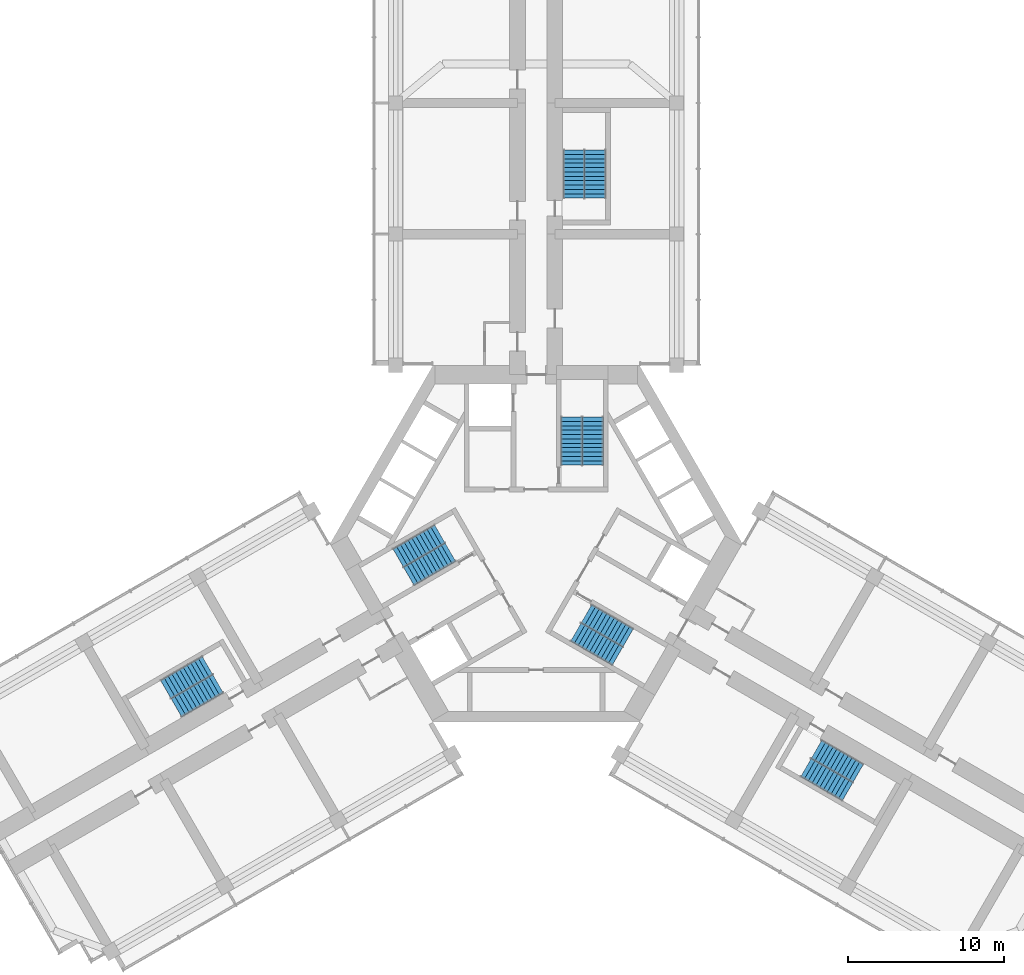
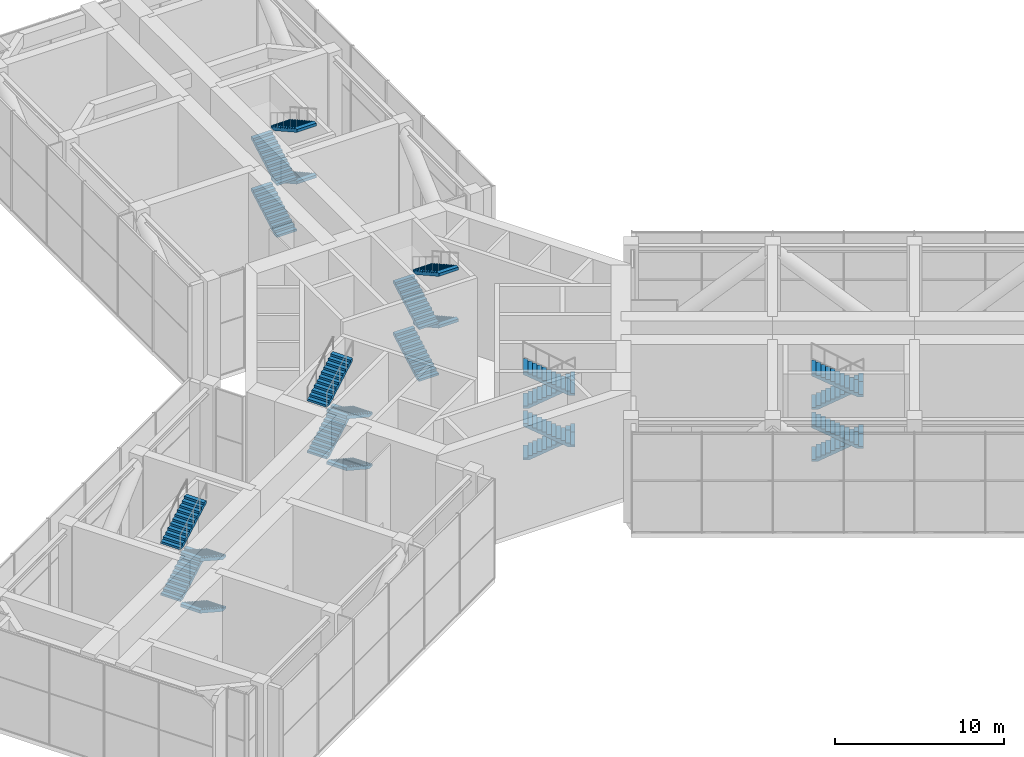
# One storey, part 15 of 16: 24 stair flights, 6 elements without a shape of their own.
"""IFC4 building model written with IfcOpenShell, lengths in metres."""

from ifc_helpers import new_model, si_unit, direction, frame, origin, place, context, subcontext, project, spatial, polyline, outline, extrude, material, type_object, element, aggregate, save


model = new_model("IFC4")

# Units and contexts
model_context = context("Model", 3, precision=1e-05, world=origin(), true_north=direction((0.0, 1.0)))
body_context = subcontext(model_context, "Body", "Model", "MODEL_VIEW")
ifc_project = project(units=[si_unit("LENGTHUNIT", "METRE"), si_unit("AREAUNIT", "SQUARE_METRE"), si_unit("VOLUMEUNIT", "CUBIC_METRE"), si_unit("PLANEANGLEUNIT", "RADIAN"), si_unit("MASSUNIT", "GRAM", prefix="KILO")], contexts=[model_context])

# Site, building, storey
site_placement = place(None, origin())
site = spatial("IfcSite", under=ifc_project, at=site_placement, CompositionType="ELEMENT")
building_placement = place(site_placement, origin())
building = spatial("IfcBuilding", under=site, at=building_placement, Name="Impinga Residences", CompositionType="ELEMENT")
storey_placement = place(building_placement, frame((0.0, 0.0, 181.0)))
storey = spatial("IfcBuildingStorey", under=building, at=storey_placement, Name="L45", CompositionType="ELEMENT", Elevation=181.0)

# Stair, stair flights
ifc_material = material(Name="Concrete C40/50", Category="concrete")
stair_type_1 = type_object("IfcStairType", Name="STR core stair 7500 storey, 48 risers", PredefinedType="HALF_TURN_STAIR", material=ifc_material)
stair_1_placement = place(storey_placement, origin())
stair_1 = element("IfcStair", 1, at=stair_1_placement, inside=storey, type_object=stair_type_1, Name="Stair ST1 L45", PredefinedType="HALF_TURN_STAIR")
stair_flight_type = type_object("IfcStairFlightType", Name="SF 12 risers of 156", PredefinedType="STRAIGHT", material=ifc_material)
stair_flight_1_placement = place(storey_placement, frame((2.27490234375, 5.030029296875, 0.0), z_axis=(0.0, 0.0, 1.0), x_axis=(0.0, 1.0, 0.0)))
stair_flight_1 = element("IfcStairFlight", 2, at=stair_flight_1_placement, type_object=stair_flight_type, Name="ST1 flight 1", NumberOfRisers=12, NumberOfTreads=11, PredefinedType="STRAIGHT", RiserHeight=0.15625, TreadLength=0.28, context=body_context, shape_type="SweptSolid", body=[
    extrude(outline(polyline([(0.0, 0.0), (0.0, 0.15625), (0.280029296875, 0.15625), (0.280029296875, 0.3125), (0.56005859375, 0.3125), (0.56005859375, 0.46875), (0.840087890625, 0.46875), (0.840087890625, 0.625), (1.1201171875, 0.625), (1.1201171875, 0.78125), (1.39990234375, 0.78125), (1.39990234375, 0.9375), (1.679931640625, 0.9375), (1.679931640625, 1.09375), (1.9599609375, 1.09375), (1.9599609375, 1.25), (2.239990234375, 1.25), (2.239990234375, 1.40625), (2.52001953125, 1.40625), (2.52001953125, 1.5625), (2.800048828125, 1.5625), (2.800048828125, 1.71875), (3.080078125, 1.71875), (3.080078125, 1.875), (3.080078125, 1.5126953125), (0.369140625, 0.0), (0.0, 0.0)])), frame((0.0, 0.675048828125, 0.0), z_axis=(0.0, -1.0, 0.0), x_axis=(1.0, 0.0, 0.0)), (0.0, 0.0, 1.0), 1.35009765625),
])
stair_flight_2_placement = place(storey_placement, frame((3.625, 8.110107421875, 1.875), z_axis=(0.0, 0.0, 1.0), x_axis=(0.0, -1.0, 0.0)))
stair_flight_2 = element("IfcStairFlight", 3, at=stair_flight_2_placement, type_object=stair_flight_type, Name="ST1 flight 2", NumberOfRisers=12, NumberOfTreads=11, PredefinedType="STRAIGHT", RiserHeight=0.15625, TreadLength=0.28, context=body_context, shape_type="SweptSolid", body=[
    extrude(outline(polyline([(0.0, 0.0), (0.0, 0.15625), (0.280029296875, 0.15625), (0.280029296875, 0.3125), (0.56005859375, 0.3125), (0.56005859375, 0.46875), (0.840087890625, 0.46875), (0.840087890625, 0.625), (1.1201171875, 0.625), (1.1201171875, 0.78125), (1.39990234375, 0.78125), (1.39990234375, 0.9375), (1.679931640625, 0.9375), (1.679931640625, 1.09375), (1.9599609375, 1.09375), (1.9599609375, 1.25), (2.239990234375, 1.25), (2.239990234375, 1.40625), (2.52001953125, 1.40625), (2.52001953125, 1.5625), (2.800048828125, 1.5625), (2.800048828125, 1.71875), (3.080078125, 1.71875), (3.080078125, 1.875), (3.080078125, 1.5126953125), (0.369140625, 0.0), (0.0, 0.0)])), frame((0.0, 0.675048828125, 0.0), z_axis=(0.0, -1.0, 0.0), x_axis=(1.0, 0.0, 0.0)), (0.0, 0.0, 1.0), 1.35009765625),
])
stair_flight_3_placement = place(storey_placement, frame((2.27490234375, 5.030029296875, 3.75), z_axis=(0.0, 0.0, 1.0), x_axis=(0.0, 1.0, 0.0)))
stair_flight_3 = element("IfcStairFlight", 4, at=stair_flight_3_placement, type_object=stair_flight_type, Name="ST1 flight 3", NumberOfRisers=12, NumberOfTreads=11, PredefinedType="STRAIGHT", RiserHeight=0.15625, TreadLength=0.28, context=body_context, shape_type="SweptSolid", body=[
    extrude(outline(polyline([(0.0, 0.0), (0.0, 0.15625), (0.280029296875, 0.15625), (0.280029296875, 0.3125), (0.56005859375, 0.3125), (0.56005859375, 0.46875), (0.840087890625, 0.46875), (0.840087890625, 0.625), (1.1201171875, 0.625), (1.1201171875, 0.78125), (1.39990234375, 0.78125), (1.39990234375, 0.9375), (1.679931640625, 0.9375), (1.679931640625, 1.09375), (1.9599609375, 1.09375), (1.9599609375, 1.25), (2.239990234375, 1.25), (2.239990234375, 1.40625), (2.52001953125, 1.40625), (2.52001953125, 1.5625), (2.800048828125, 1.5625), (2.800048828125, 1.71875), (3.080078125, 1.71875), (3.080078125, 1.875), (3.080078125, 1.5126953125), (0.369140625, 0.0), (0.0, 0.0)])), frame((0.0, 0.675048828125, 0.0), z_axis=(0.0, -1.0, 0.0), x_axis=(1.0, 0.0, 0.0)), (0.0, 0.0, 1.0), 1.35009765625),
])
stair_flight_4_placement = place(storey_placement, frame((3.625, 8.110107421875, 5.625), z_axis=(0.0, 0.0, 1.0), x_axis=(0.0, -1.0, 0.0)))
stair_flight_4 = element("IfcStairFlight", 5, at=stair_flight_4_placement, type_object=stair_flight_type, Name="ST1 flight 4", NumberOfRisers=12, NumberOfTreads=11, PredefinedType="STRAIGHT", RiserHeight=0.15625, TreadLength=0.28, context=body_context, shape_type="SweptSolid", body=[
    extrude(outline(polyline([(0.0, 0.0), (0.0, 0.15625), (0.280029296875, 0.15625), (0.280029296875, 0.3125), (0.56005859375, 0.3125), (0.56005859375, 0.46875), (0.840087890625, 0.46875), (0.840087890625, 0.625), (1.1201171875, 0.625), (1.1201171875, 0.78125), (1.39990234375, 0.78125), (1.39990234375, 0.9375), (1.679931640625, 0.9375), (1.679931640625, 1.09375), (1.9599609375, 1.09375), (1.9599609375, 1.25), (2.239990234375, 1.25), (2.239990234375, 1.40625), (2.52001953125, 1.40625), (2.52001953125, 1.5625), (2.800048828125, 1.5625), (2.800048828125, 1.71875), (3.080078125, 1.71875), (3.080078125, 1.875), (3.080078125, 1.5126953125), (0.369140625, 0.0), (0.0, 0.0)])), frame((0.0, 0.675048828125, 0.0), z_axis=(0.0, -1.0, 0.0), x_axis=(1.0, 0.0, 0.0)), (0.0, 0.0, 1.0), 1.35009765625),
])
aggregate(stair_1, [stair_flight_1, stair_flight_2, stair_flight_3, stair_flight_4])

stair_2_placement = place(storey_placement, origin())
stair_2 = element("IfcStair", 6, at=stair_2_placement, inside=storey, type_object=stair_type_1, Name="Stair ST2 L45", PredefinedType="HALF_TURN_STAIR")
stair_flight_5_placement = place(storey_placement, frame((-5.49365234375, -0.544677734375, 0.0), z_axis=(0.0, 0.0, 1.0), x_axis=(-0.866025403784, -0.5, 0.0)))
stair_flight_5 = element("IfcStairFlight", 7, at=stair_flight_5_placement, type_object=stair_flight_type, Name="ST2 flight 1", NumberOfRisers=12, NumberOfTreads=11, PredefinedType="STRAIGHT", RiserHeight=0.15625, TreadLength=0.28, context=body_context, shape_type="SweptSolid", body=[
    extrude(outline(polyline([(0.0, 0.0), (0.0, 0.15625), (0.280029296875, 0.15625), (0.280029296875, 0.3125), (0.56005859375, 0.3125), (0.56005859375, 0.46875), (0.840087890625, 0.46875), (0.840087890625, 0.625), (1.1201171875, 0.625), (1.1201171875, 0.78125), (1.39990234375, 0.78125), (1.39990234375, 0.9375), (1.679931640625, 0.9375), (1.679931640625, 1.09375), (1.9599609375, 1.09375), (1.9599609375, 1.25), (2.239990234375, 1.25), (2.239990234375, 1.40625), (2.52001953125, 1.40625), (2.52001953125, 1.5625), (2.800048828125, 1.5625), (2.800048828125, 1.71875), (3.080078125, 1.71875), (3.080078125, 1.875), (3.080078125, 1.5126953125), (0.369140625, 0.0), (0.0, 0.0)])), frame((0.0, 0.675048828125, 0.0), z_axis=(0.0, -1.0, 0.0), x_axis=(1.0, 0.0, 0.0)), (0.0, 0.0, 1.0), 1.35009765625),
])
stair_flight_6_placement = place(storey_placement, frame((-8.8359375, -0.915771484375, 1.875), z_axis=(0.0, 0.0, 1.0), x_axis=(0.866025403784, 0.5, 0.0)))
stair_flight_6 = element("IfcStairFlight", 8, at=stair_flight_6_placement, type_object=stair_flight_type, Name="ST2 flight 2", NumberOfRisers=12, NumberOfTreads=11, PredefinedType="STRAIGHT", RiserHeight=0.15625, TreadLength=0.28, context=body_context, shape_type="SweptSolid", body=[
    extrude(outline(polyline([(0.0, 0.0), (0.0, 0.15625), (0.280029296875, 0.15625), (0.280029296875, 0.3125), (0.56005859375, 0.3125), (0.56005859375, 0.46875), (0.840087890625, 0.46875), (0.840087890625, 0.625), (1.1201171875, 0.625), (1.1201171875, 0.78125), (1.39990234375, 0.78125), (1.39990234375, 0.9375), (1.679931640625, 0.9375), (1.679931640625, 1.09375), (1.9599609375, 1.09375), (1.9599609375, 1.25), (2.239990234375, 1.25), (2.239990234375, 1.40625), (2.52001953125, 1.40625), (2.52001953125, 1.5625), (2.800048828125, 1.5625), (2.800048828125, 1.71875), (3.080078125, 1.71875), (3.080078125, 1.875), (3.080078125, 1.5126953125), (0.369140625, 0.0), (0.0, 0.0)])), frame((0.0, 0.675048828125, 0.0), z_axis=(0.0, -1.0, 0.0), x_axis=(1.0, 0.0, 0.0)), (0.0, 0.0, 1.0), 1.35009765625),
])
stair_flight_7_placement = place(storey_placement, frame((-5.49365234375, -0.544677734375, 3.75), z_axis=(0.0, 0.0, 1.0), x_axis=(-0.866025403784, -0.5, 0.0)))
stair_flight_7 = element("IfcStairFlight", 9, at=stair_flight_7_placement, type_object=stair_flight_type, Name="ST2 flight 3", NumberOfRisers=12, NumberOfTreads=11, PredefinedType="STRAIGHT", RiserHeight=0.15625, TreadLength=0.28, context=body_context, shape_type="SweptSolid", body=[
    extrude(outline(polyline([(0.0, 0.0), (0.0, 0.15625), (0.280029296875, 0.15625), (0.280029296875, 0.3125), (0.56005859375, 0.3125), (0.56005859375, 0.46875), (0.840087890625, 0.46875), (0.840087890625, 0.625), (1.1201171875, 0.625), (1.1201171875, 0.78125), (1.39990234375, 0.78125), (1.39990234375, 0.9375), (1.679931640625, 0.9375), (1.679931640625, 1.09375), (1.9599609375, 1.09375), (1.9599609375, 1.25), (2.239990234375, 1.25), (2.239990234375, 1.40625), (2.52001953125, 1.40625), (2.52001953125, 1.5625), (2.800048828125, 1.5625), (2.800048828125, 1.71875), (3.080078125, 1.71875), (3.080078125, 1.875), (3.080078125, 1.5126953125), (0.369140625, 0.0), (0.0, 0.0)])), frame((0.0, 0.675048828125, 0.0), z_axis=(0.0, -1.0, 0.0), x_axis=(1.0, 0.0, 0.0)), (0.0, 0.0, 1.0), 1.35009765625),
])
stair_flight_8_placement = place(storey_placement, frame((-8.8359375, -0.915771484375, 5.625), z_axis=(0.0, 0.0, 1.0), x_axis=(0.866025403784, 0.5, 0.0)))
stair_flight_8 = element("IfcStairFlight", 10, at=stair_flight_8_placement, type_object=stair_flight_type, Name="ST2 flight 4", NumberOfRisers=12, NumberOfTreads=11, PredefinedType="STRAIGHT", RiserHeight=0.15625, TreadLength=0.28, context=body_context, shape_type="SweptSolid", body=[
    extrude(outline(polyline([(0.0, 0.0), (0.0, 0.15625), (0.280029296875, 0.15625), (0.280029296875, 0.3125), (0.56005859375, 0.3125), (0.56005859375, 0.46875), (0.840087890625, 0.46875), (0.840087890625, 0.625), (1.1201171875, 0.625), (1.1201171875, 0.78125), (1.39990234375, 0.78125), (1.39990234375, 0.9375), (1.679931640625, 0.9375), (1.679931640625, 1.09375), (1.9599609375, 1.09375), (1.9599609375, 1.25), (2.239990234375, 1.25), (2.239990234375, 1.40625), (2.52001953125, 1.40625), (2.52001953125, 1.5625), (2.800048828125, 1.5625), (2.800048828125, 1.71875), (3.080078125, 1.71875), (3.080078125, 1.875), (3.080078125, 1.5126953125), (0.369140625, 0.0), (0.0, 0.0)])), frame((0.0, 0.675048828125, 0.0), z_axis=(0.0, -1.0, 0.0), x_axis=(1.0, 0.0, 0.0)), (0.0, 0.0, 1.0), 1.35009765625),
])
aggregate(stair_2, [stair_flight_5, stair_flight_6, stair_flight_7, stair_flight_8])

stair_3_placement = place(storey_placement, origin())
stair_3 = element("IfcStair", 11, at=stair_3_placement, inside=storey, type_object=stair_type_1, Name="Stair ST3 L45", PredefinedType="HALF_TURN_STAIR")
stair_flight_9_placement = place(storey_placement, frame((3.218505859375, -4.485107421875, 0.0), z_axis=(0.0, 0.0, 1.0), x_axis=(0.866025403784, -0.5, 0.0)))
stair_flight_9 = element("IfcStairFlight", 12, at=stair_flight_9_placement, type_object=stair_flight_type, Name="ST3 flight 1", NumberOfRisers=12, NumberOfTreads=11, PredefinedType="STRAIGHT", RiserHeight=0.15625, TreadLength=0.28, context=body_context, shape_type="SweptSolid", body=[
    extrude(outline(polyline([(0.0, 0.0), (0.0, 0.15625), (0.280029296875, 0.15625), (0.280029296875, 0.3125), (0.56005859375, 0.3125), (0.56005859375, 0.46875), (0.840087890625, 0.46875), (0.840087890625, 0.625), (1.1201171875, 0.625), (1.1201171875, 0.78125), (1.39990234375, 0.78125), (1.39990234375, 0.9375), (1.679931640625, 0.9375), (1.679931640625, 1.09375), (1.9599609375, 1.09375), (1.9599609375, 1.25), (2.239990234375, 1.25), (2.239990234375, 1.40625), (2.52001953125, 1.40625), (2.52001953125, 1.5625), (2.800048828125, 1.5625), (2.800048828125, 1.71875), (3.080078125, 1.71875), (3.080078125, 1.875), (3.080078125, 1.5126953125), (0.369140625, 0.0), (0.0, 0.0)])), frame((0.0, 0.675048828125, 0.0), z_axis=(0.0, -1.0, 0.0), x_axis=(1.0, 0.0, 0.0)), (0.0, 0.0, 1.0), 1.35009765625),
])
stair_flight_10_placement = place(storey_placement, frame((5.2109375, -7.1943359375, 1.875), z_axis=(0.0, 0.0, 1.0), x_axis=(-0.866025403784, 0.5, 0.0)))
stair_flight_10 = element("IfcStairFlight", 13, at=stair_flight_10_placement, type_object=stair_flight_type, Name="ST3 flight 2", NumberOfRisers=12, NumberOfTreads=11, PredefinedType="STRAIGHT", RiserHeight=0.15625, TreadLength=0.28, context=body_context, shape_type="SweptSolid", body=[
    extrude(outline(polyline([(0.0, 0.0), (0.0, 0.15625), (0.280029296875, 0.15625), (0.280029296875, 0.3125), (0.56005859375, 0.3125), (0.56005859375, 0.46875), (0.840087890625, 0.46875), (0.840087890625, 0.625), (1.1201171875, 0.625), (1.1201171875, 0.78125), (1.39990234375, 0.78125), (1.39990234375, 0.9375), (1.679931640625, 0.9375), (1.679931640625, 1.09375), (1.9599609375, 1.09375), (1.9599609375, 1.25), (2.239990234375, 1.25), (2.239990234375, 1.40625), (2.52001953125, 1.40625), (2.52001953125, 1.5625), (2.800048828125, 1.5625), (2.800048828125, 1.71875), (3.080078125, 1.71875), (3.080078125, 1.875), (3.080078125, 1.5126953125), (0.369140625, 0.0), (0.0, 0.0)])), frame((0.0, 0.675048828125, 0.0), z_axis=(0.0, -1.0, 0.0), x_axis=(1.0, 0.0, 0.0)), (0.0, 0.0, 1.0), 1.35009765625),
])
stair_flight_11_placement = place(storey_placement, frame((3.218505859375, -4.485107421875, 3.75), z_axis=(0.0, 0.0, 1.0), x_axis=(0.866025403784, -0.5, 0.0)))
stair_flight_11 = element("IfcStairFlight", 14, at=stair_flight_11_placement, type_object=stair_flight_type, Name="ST3 flight 3", NumberOfRisers=12, NumberOfTreads=11, PredefinedType="STRAIGHT", RiserHeight=0.15625, TreadLength=0.28, context=body_context, shape_type="SweptSolid", body=[
    extrude(outline(polyline([(0.0, 0.0), (0.0, 0.15625), (0.280029296875, 0.15625), (0.280029296875, 0.3125), (0.56005859375, 0.3125), (0.56005859375, 0.46875), (0.840087890625, 0.46875), (0.840087890625, 0.625), (1.1201171875, 0.625), (1.1201171875, 0.78125), (1.39990234375, 0.78125), (1.39990234375, 0.9375), (1.679931640625, 0.9375), (1.679931640625, 1.09375), (1.9599609375, 1.09375), (1.9599609375, 1.25), (2.239990234375, 1.25), (2.239990234375, 1.40625), (2.52001953125, 1.40625), (2.52001953125, 1.5625), (2.800048828125, 1.5625), (2.800048828125, 1.71875), (3.080078125, 1.71875), (3.080078125, 1.875), (3.080078125, 1.5126953125), (0.369140625, 0.0), (0.0, 0.0)])), frame((0.0, 0.675048828125, 0.0), z_axis=(0.0, -1.0, 0.0), x_axis=(1.0, 0.0, 0.0)), (0.0, 0.0, 1.0), 1.35009765625),
])
stair_flight_12_placement = place(storey_placement, frame((5.2109375, -7.1943359375, 5.625), z_axis=(0.0, 0.0, 1.0), x_axis=(-0.866025403784, 0.5, 0.0)))
stair_flight_12 = element("IfcStairFlight", 15, at=stair_flight_12_placement, type_object=stair_flight_type, Name="ST3 flight 4", NumberOfRisers=12, NumberOfTreads=11, PredefinedType="STRAIGHT", RiserHeight=0.15625, TreadLength=0.28, context=body_context, shape_type="SweptSolid", body=[
    extrude(outline(polyline([(0.0, 0.0), (0.0, 0.15625), (0.280029296875, 0.15625), (0.280029296875, 0.3125), (0.56005859375, 0.3125), (0.56005859375, 0.46875), (0.840087890625, 0.46875), (0.840087890625, 0.625), (1.1201171875, 0.625), (1.1201171875, 0.78125), (1.39990234375, 0.78125), (1.39990234375, 0.9375), (1.679931640625, 0.9375), (1.679931640625, 1.09375), (1.9599609375, 1.09375), (1.9599609375, 1.25), (2.239990234375, 1.25), (2.239990234375, 1.40625), (2.52001953125, 1.40625), (2.52001953125, 1.5625), (2.800048828125, 1.5625), (2.800048828125, 1.71875), (3.080078125, 1.71875), (3.080078125, 1.875), (3.080078125, 1.5126953125), (0.369140625, 0.0), (0.0, 0.0)])), frame((0.0, 0.675048828125, 0.0), z_axis=(0.0, -1.0, 0.0), x_axis=(1.0, 0.0, 0.0)), (0.0, 0.0, 1.0), 1.35009765625),
])
aggregate(stair_3, [stair_flight_9, stair_flight_10, stair_flight_11, stair_flight_12])

stair_type_2 = type_object("IfcStairType", Name="STR wing stair 7500 storey, 48 risers", PredefinedType="HALF_TURN_STAIR", material=ifc_material)
stair_4_placement = place(storey_placement, origin())
stair_4 = element("IfcStair", 16, at=stair_4_placement, inside=storey, type_object=stair_type_2, Name="Stair WS1 L45", PredefinedType="HALF_TURN_STAIR")
stair_flight_13_placement = place(storey_placement, frame((2.425048828125, 22.131591796875, 0.0), z_axis=(0.0, 0.0, 1.0), x_axis=(0.0, 1.0, 0.0)))
stair_flight_13 = element("IfcStairFlight", 17, at=stair_flight_13_placement, type_object=stair_flight_type, Name="WS1 flight 1", NumberOfRisers=12, NumberOfTreads=11, PredefinedType="STRAIGHT", RiserHeight=0.15625, TreadLength=0.28, context=body_context, shape_type="SweptSolid", body=[
    extrude(outline(polyline([(0.0, 0.0), (0.0, 0.15625), (0.280029296875, 0.15625), (0.280029296875, 0.3125), (0.56005859375, 0.3125), (0.56005859375, 0.46875), (0.840087890625, 0.46875), (0.840087890625, 0.625), (1.1201171875, 0.625), (1.1201171875, 0.78125), (1.39990234375, 0.78125), (1.39990234375, 0.9375), (1.679931640625, 0.9375), (1.679931640625, 1.09375), (1.9599609375, 1.09375), (1.9599609375, 1.25), (2.239990234375, 1.25), (2.239990234375, 1.40625), (2.52001953125, 1.40625), (2.52001953125, 1.5625), (2.800048828125, 1.5625), (2.800048828125, 1.71875), (3.080078125, 1.71875), (3.080078125, 1.875), (3.080078125, 1.5126953125), (0.369140625, 0.0), (0.0, 0.0)])), frame((0.0, 0.675048828125, 0.0), z_axis=(0.0, -1.0, 0.0), x_axis=(1.0, 0.0, 0.0)), (0.0, 0.0, 1.0), 1.35009765625),
])
stair_flight_14_placement = place(storey_placement, frame((3.77490234375, 25.21142578125, 1.875), z_axis=(0.0, 0.0, 1.0), x_axis=(0.0, -1.0, 0.0)))
stair_flight_14 = element("IfcStairFlight", 18, at=stair_flight_14_placement, type_object=stair_flight_type, Name="WS1 flight 2", NumberOfRisers=12, NumberOfTreads=11, PredefinedType="STRAIGHT", RiserHeight=0.15625, TreadLength=0.28, context=body_context, shape_type="SweptSolid", body=[
    extrude(outline(polyline([(0.0, 0.0), (0.0, 0.15625), (0.280029296875, 0.15625), (0.280029296875, 0.3125), (0.56005859375, 0.3125), (0.56005859375, 0.46875), (0.840087890625, 0.46875), (0.840087890625, 0.625), (1.1201171875, 0.625), (1.1201171875, 0.78125), (1.39990234375, 0.78125), (1.39990234375, 0.9375), (1.679931640625, 0.9375), (1.679931640625, 1.09375), (1.9599609375, 1.09375), (1.9599609375, 1.25), (2.239990234375, 1.25), (2.239990234375, 1.40625), (2.52001953125, 1.40625), (2.52001953125, 1.5625), (2.800048828125, 1.5625), (2.800048828125, 1.71875), (3.080078125, 1.71875), (3.080078125, 1.875), (3.080078125, 1.5126953125), (0.369140625, 0.0), (0.0, 0.0)])), frame((0.0, 0.675048828125, 0.0), z_axis=(0.0, -1.0, 0.0), x_axis=(1.0, 0.0, 0.0)), (0.0, 0.0, 1.0), 1.35009765625),
])
stair_flight_15_placement = place(storey_placement, frame((2.425048828125, 22.131591796875, 3.75), z_axis=(0.0, 0.0, 1.0), x_axis=(0.0, 1.0, 0.0)))
stair_flight_15 = element("IfcStairFlight", 19, at=stair_flight_15_placement, type_object=stair_flight_type, Name="WS1 flight 3", NumberOfRisers=12, NumberOfTreads=11, PredefinedType="STRAIGHT", RiserHeight=0.15625, TreadLength=0.28, context=body_context, shape_type="SweptSolid", body=[
    extrude(outline(polyline([(0.0, 0.0), (0.0, 0.15625), (0.280029296875, 0.15625), (0.280029296875, 0.3125), (0.56005859375, 0.3125), (0.56005859375, 0.46875), (0.840087890625, 0.46875), (0.840087890625, 0.625), (1.1201171875, 0.625), (1.1201171875, 0.78125), (1.39990234375, 0.78125), (1.39990234375, 0.9375), (1.679931640625, 0.9375), (1.679931640625, 1.09375), (1.9599609375, 1.09375), (1.9599609375, 1.25), (2.239990234375, 1.25), (2.239990234375, 1.40625), (2.52001953125, 1.40625), (2.52001953125, 1.5625), (2.800048828125, 1.5625), (2.800048828125, 1.71875), (3.080078125, 1.71875), (3.080078125, 1.875), (3.080078125, 1.5126953125), (0.369140625, 0.0), (0.0, 0.0)])), frame((0.0, 0.675048828125, 0.0), z_axis=(0.0, -1.0, 0.0), x_axis=(1.0, 0.0, 0.0)), (0.0, 0.0, 1.0), 1.35009765625),
])
stair_flight_16_placement = place(storey_placement, frame((3.77490234375, 25.21142578125, 5.625), z_axis=(0.0, 0.0, 1.0), x_axis=(0.0, -1.0, 0.0)))
stair_flight_16 = element("IfcStairFlight", 20, at=stair_flight_16_placement, type_object=stair_flight_type, Name="WS1 flight 4", NumberOfRisers=12, NumberOfTreads=11, PredefinedType="STRAIGHT", RiserHeight=0.15625, TreadLength=0.28, context=body_context, shape_type="SweptSolid", body=[
    extrude(outline(polyline([(0.0, 0.0), (0.0, 0.15625), (0.280029296875, 0.15625), (0.280029296875, 0.3125), (0.56005859375, 0.3125), (0.56005859375, 0.46875), (0.840087890625, 0.46875), (0.840087890625, 0.625), (1.1201171875, 0.625), (1.1201171875, 0.78125), (1.39990234375, 0.78125), (1.39990234375, 0.9375), (1.679931640625, 0.9375), (1.679931640625, 1.09375), (1.9599609375, 1.09375), (1.9599609375, 1.25), (2.239990234375, 1.25), (2.239990234375, 1.40625), (2.52001953125, 1.40625), (2.52001953125, 1.5625), (2.800048828125, 1.5625), (2.800048828125, 1.71875), (3.080078125, 1.71875), (3.080078125, 1.875), (3.080078125, 1.5126953125), (0.369140625, 0.0), (0.0, 0.0)])), frame((0.0, 0.675048828125, 0.0), z_axis=(0.0, -1.0, 0.0), x_axis=(1.0, 0.0, 0.0)), (0.0, 0.0, 1.0), 1.35009765625),
])
aggregate(stair_4, [stair_flight_13, stair_flight_14, stair_flight_15, stair_flight_16])

stair_5_placement = place(storey_placement, origin())
stair_5 = element("IfcStair", 21, at=stair_5_placement, inside=storey, type_object=stair_type_2, Name="Stair WS2 L45", PredefinedType="HALF_TURN_STAIR")
stair_flight_17_placement = place(storey_placement, frame((-20.37890625, -8.965576171875, 0.0), z_axis=(0.0, 0.0, 1.0), x_axis=(-0.866025403784, -0.5, 0.0)))
stair_flight_17 = element("IfcStairFlight", 22, at=stair_flight_17_placement, type_object=stair_flight_type, Name="WS2 flight 1", NumberOfRisers=12, NumberOfTreads=11, PredefinedType="STRAIGHT", RiserHeight=0.15625, TreadLength=0.28, context=body_context, shape_type="SweptSolid", body=[
    extrude(outline(polyline([(0.0, 0.0), (0.0, 0.15625), (0.280029296875, 0.15625), (0.280029296875, 0.3125), (0.56005859375, 0.3125), (0.56005859375, 0.46875), (0.840087890625, 0.46875), (0.840087890625, 0.625), (1.1201171875, 0.625), (1.1201171875, 0.78125), (1.39990234375, 0.78125), (1.39990234375, 0.9375), (1.679931640625, 0.9375), (1.679931640625, 1.09375), (1.9599609375, 1.09375), (1.9599609375, 1.25), (2.239990234375, 1.25), (2.239990234375, 1.40625), (2.52001953125, 1.40625), (2.52001953125, 1.5625), (2.800048828125, 1.5625), (2.800048828125, 1.71875), (3.080078125, 1.71875), (3.080078125, 1.875), (3.080078125, 1.5126953125), (0.369140625, 0.0), (0.0, 0.0)])), frame((0.0, 0.675048828125, 0.0), z_axis=(0.0, -1.0, 0.0), x_axis=(1.0, 0.0, 0.0)), (0.0, 0.0, 1.0), 1.35009765625),
])
stair_flight_18_placement = place(storey_placement, frame((-23.721435546875, -9.33642578125, 1.875), z_axis=(0.0, 0.0, 1.0), x_axis=(0.866025403784, 0.5, 0.0)))
stair_flight_18 = element("IfcStairFlight", 23, at=stair_flight_18_placement, type_object=stair_flight_type, Name="WS2 flight 2", NumberOfRisers=12, NumberOfTreads=11, PredefinedType="STRAIGHT", RiserHeight=0.15625, TreadLength=0.28, context=body_context, shape_type="SweptSolid", body=[
    extrude(outline(polyline([(0.0, 0.0), (0.0, 0.15625), (0.280029296875, 0.15625), (0.280029296875, 0.3125), (0.56005859375, 0.3125), (0.56005859375, 0.46875), (0.840087890625, 0.46875), (0.840087890625, 0.625), (1.1201171875, 0.625), (1.1201171875, 0.78125), (1.39990234375, 0.78125), (1.39990234375, 0.9375), (1.679931640625, 0.9375), (1.679931640625, 1.09375), (1.9599609375, 1.09375), (1.9599609375, 1.25), (2.239990234375, 1.25), (2.239990234375, 1.40625), (2.52001953125, 1.40625), (2.52001953125, 1.5625), (2.800048828125, 1.5625), (2.800048828125, 1.71875), (3.080078125, 1.71875), (3.080078125, 1.875), (3.080078125, 1.5126953125), (0.369140625, 0.0), (0.0, 0.0)])), frame((0.0, 0.675048828125, 0.0), z_axis=(0.0, -1.0, 0.0), x_axis=(1.0, 0.0, 0.0)), (0.0, 0.0, 1.0), 1.35009765625),
])
stair_flight_19_placement = place(storey_placement, frame((-20.37890625, -8.965576171875, 3.75), z_axis=(0.0, 0.0, 1.0), x_axis=(-0.866025403784, -0.5, 0.0)))
stair_flight_19 = element("IfcStairFlight", 24, at=stair_flight_19_placement, type_object=stair_flight_type, Name="WS2 flight 3", NumberOfRisers=12, NumberOfTreads=11, PredefinedType="STRAIGHT", RiserHeight=0.15625, TreadLength=0.28, context=body_context, shape_type="SweptSolid", body=[
    extrude(outline(polyline([(0.0, 0.0), (0.0, 0.15625), (0.280029296875, 0.15625), (0.280029296875, 0.3125), (0.56005859375, 0.3125), (0.56005859375, 0.46875), (0.840087890625, 0.46875), (0.840087890625, 0.625), (1.1201171875, 0.625), (1.1201171875, 0.78125), (1.39990234375, 0.78125), (1.39990234375, 0.9375), (1.679931640625, 0.9375), (1.679931640625, 1.09375), (1.9599609375, 1.09375), (1.9599609375, 1.25), (2.239990234375, 1.25), (2.239990234375, 1.40625), (2.52001953125, 1.40625), (2.52001953125, 1.5625), (2.800048828125, 1.5625), (2.800048828125, 1.71875), (3.080078125, 1.71875), (3.080078125, 1.875), (3.080078125, 1.5126953125), (0.369140625, 0.0), (0.0, 0.0)])), frame((0.0, 0.675048828125, 0.0), z_axis=(0.0, -1.0, 0.0), x_axis=(1.0, 0.0, 0.0)), (0.0, 0.0, 1.0), 1.35009765625),
])
stair_flight_20_placement = place(storey_placement, frame((-23.721435546875, -9.33642578125, 5.625), z_axis=(0.0, 0.0, 1.0), x_axis=(0.866025403784, 0.5, 0.0)))
stair_flight_20 = element("IfcStairFlight", 25, at=stair_flight_20_placement, type_object=stair_flight_type, Name="WS2 flight 4", NumberOfRisers=12, NumberOfTreads=11, PredefinedType="STRAIGHT", RiserHeight=0.15625, TreadLength=0.28, context=body_context, shape_type="SweptSolid", body=[
    extrude(outline(polyline([(0.0, 0.0), (0.0, 0.15625), (0.280029296875, 0.15625), (0.280029296875, 0.3125), (0.56005859375, 0.3125), (0.56005859375, 0.46875), (0.840087890625, 0.46875), (0.840087890625, 0.625), (1.1201171875, 0.625), (1.1201171875, 0.78125), (1.39990234375, 0.78125), (1.39990234375, 0.9375), (1.679931640625, 0.9375), (1.679931640625, 1.09375), (1.9599609375, 1.09375), (1.9599609375, 1.25), (2.239990234375, 1.25), (2.239990234375, 1.40625), (2.52001953125, 1.40625), (2.52001953125, 1.5625), (2.800048828125, 1.5625), (2.800048828125, 1.71875), (3.080078125, 1.71875), (3.080078125, 1.875), (3.080078125, 1.5126953125), (0.369140625, 0.0), (0.0, 0.0)])), frame((0.0, 0.675048828125, 0.0), z_axis=(0.0, -1.0, 0.0), x_axis=(1.0, 0.0, 0.0)), (0.0, 0.0, 1.0), 1.35009765625),
])
aggregate(stair_5, [stair_flight_17, stair_flight_18, stair_flight_19, stair_flight_20])

stair_6_placement = place(storey_placement, origin())
stair_6 = element("IfcStair", 26, at=stair_6_placement, inside=storey, type_object=stair_type_2, Name="Stair WS3 L45", PredefinedType="HALF_TURN_STAIR")
stair_flight_21_placement = place(storey_placement, frame((17.953857421875, -13.165771484375, 0.0), z_axis=(0.0, 0.0, 1.0), x_axis=(0.866025403784, -0.5, 0.0)))
stair_flight_21 = element("IfcStairFlight", 27, at=stair_flight_21_placement, type_object=stair_flight_type, Name="WS3 flight 1", NumberOfRisers=12, NumberOfTreads=11, PredefinedType="STRAIGHT", RiserHeight=0.15625, TreadLength=0.28, context=body_context, shape_type="SweptSolid", body=[
    extrude(outline(polyline([(0.0, 0.0), (0.0, 0.15625), (0.280029296875, 0.15625), (0.280029296875, 0.3125), (0.56005859375, 0.3125), (0.56005859375, 0.46875), (0.840087890625, 0.46875), (0.840087890625, 0.625), (1.1201171875, 0.625), (1.1201171875, 0.78125), (1.39990234375, 0.78125), (1.39990234375, 0.9375), (1.679931640625, 0.9375), (1.679931640625, 1.09375), (1.9599609375, 1.09375), (1.9599609375, 1.25), (2.239990234375, 1.25), (2.239990234375, 1.40625), (2.52001953125, 1.40625), (2.52001953125, 1.5625), (2.800048828125, 1.5625), (2.800048828125, 1.71875), (3.080078125, 1.71875), (3.080078125, 1.875), (3.080078125, 1.5126953125), (0.369140625, 0.0), (0.0, 0.0)])), frame((0.0, 0.675048828125, 0.0), z_axis=(0.0, -1.0, 0.0), x_axis=(1.0, 0.0, 0.0)), (0.0, 0.0, 1.0), 1.35009765625),
])
stair_flight_22_placement = place(storey_placement, frame((19.9462890625, -15.875, 1.875), z_axis=(0.0, 0.0, 1.0), x_axis=(-0.866025403784, 0.5, 0.0)))
stair_flight_22 = element("IfcStairFlight", 28, at=stair_flight_22_placement, type_object=stair_flight_type, Name="WS3 flight 2", NumberOfRisers=12, NumberOfTreads=11, PredefinedType="STRAIGHT", RiserHeight=0.15625, TreadLength=0.28, context=body_context, shape_type="SweptSolid", body=[
    extrude(outline(polyline([(0.0, 0.0), (0.0, 0.15625), (0.280029296875, 0.15625), (0.280029296875, 0.3125), (0.56005859375, 0.3125), (0.56005859375, 0.46875), (0.840087890625, 0.46875), (0.840087890625, 0.625), (1.1201171875, 0.625), (1.1201171875, 0.78125), (1.39990234375, 0.78125), (1.39990234375, 0.9375), (1.679931640625, 0.9375), (1.679931640625, 1.09375), (1.9599609375, 1.09375), (1.9599609375, 1.25), (2.239990234375, 1.25), (2.239990234375, 1.40625), (2.52001953125, 1.40625), (2.52001953125, 1.5625), (2.800048828125, 1.5625), (2.800048828125, 1.71875), (3.080078125, 1.71875), (3.080078125, 1.875), (3.080078125, 1.5126953125), (0.369140625, 0.0), (0.0, 0.0)])), frame((0.0, 0.675048828125, 0.0), z_axis=(0.0, -1.0, 0.0), x_axis=(1.0, 0.0, 0.0)), (0.0, 0.0, 1.0), 1.35009765625),
])
stair_flight_23_placement = place(storey_placement, frame((17.953857421875, -13.165771484375, 3.75), z_axis=(0.0, 0.0, 1.0), x_axis=(0.866025403784, -0.5, 0.0)))
stair_flight_23 = element("IfcStairFlight", 29, at=stair_flight_23_placement, type_object=stair_flight_type, Name="WS3 flight 3", NumberOfRisers=12, NumberOfTreads=11, PredefinedType="STRAIGHT", RiserHeight=0.15625, TreadLength=0.28, context=body_context, shape_type="SweptSolid", body=[
    extrude(outline(polyline([(0.0, 0.0), (0.0, 0.15625), (0.280029296875, 0.15625), (0.280029296875, 0.3125), (0.56005859375, 0.3125), (0.56005859375, 0.46875), (0.840087890625, 0.46875), (0.840087890625, 0.625), (1.1201171875, 0.625), (1.1201171875, 0.78125), (1.39990234375, 0.78125), (1.39990234375, 0.9375), (1.679931640625, 0.9375), (1.679931640625, 1.09375), (1.9599609375, 1.09375), (1.9599609375, 1.25), (2.239990234375, 1.25), (2.239990234375, 1.40625), (2.52001953125, 1.40625), (2.52001953125, 1.5625), (2.800048828125, 1.5625), (2.800048828125, 1.71875), (3.080078125, 1.71875), (3.080078125, 1.875), (3.080078125, 1.5126953125), (0.369140625, 0.0), (0.0, 0.0)])), frame((0.0, 0.675048828125, 0.0), z_axis=(0.0, -1.0, 0.0), x_axis=(1.0, 0.0, 0.0)), (0.0, 0.0, 1.0), 1.35009765625),
])
stair_flight_24_placement = place(storey_placement, frame((19.9462890625, -15.875, 5.625), z_axis=(0.0, 0.0, 1.0), x_axis=(-0.866025403784, 0.5, 0.0)))
stair_flight_24 = element("IfcStairFlight", 30, at=stair_flight_24_placement, type_object=stair_flight_type, Name="WS3 flight 4", NumberOfRisers=12, NumberOfTreads=11, PredefinedType="STRAIGHT", RiserHeight=0.15625, TreadLength=0.28, context=body_context, shape_type="SweptSolid", body=[
    extrude(outline(polyline([(0.0, 0.0), (0.0, 0.15625), (0.280029296875, 0.15625), (0.280029296875, 0.3125), (0.56005859375, 0.3125), (0.56005859375, 0.46875), (0.840087890625, 0.46875), (0.840087890625, 0.625), (1.1201171875, 0.625), (1.1201171875, 0.78125), (1.39990234375, 0.78125), (1.39990234375, 0.9375), (1.679931640625, 0.9375), (1.679931640625, 1.09375), (1.9599609375, 1.09375), (1.9599609375, 1.25), (2.239990234375, 1.25), (2.239990234375, 1.40625), (2.52001953125, 1.40625), (2.52001953125, 1.5625), (2.800048828125, 1.5625), (2.800048828125, 1.71875), (3.080078125, 1.71875), (3.080078125, 1.875), (3.080078125, 1.5126953125), (0.369140625, 0.0), (0.0, 0.0)])), frame((0.0, 0.675048828125, 0.0), z_axis=(0.0, -1.0, 0.0), x_axis=(1.0, 0.0, 0.0)), (0.0, 0.0, 1.0), 1.35009765625),
])
aggregate(stair_6, [stair_flight_21, stair_flight_22, stair_flight_23, stair_flight_24])

save(model, "model.ifc")
